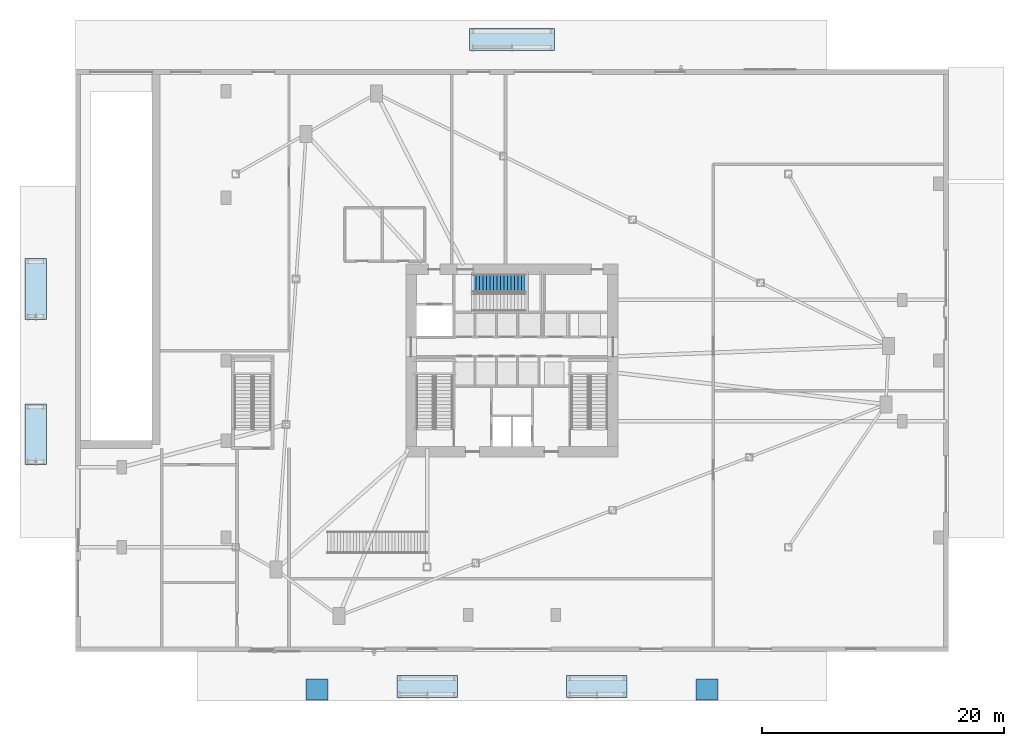
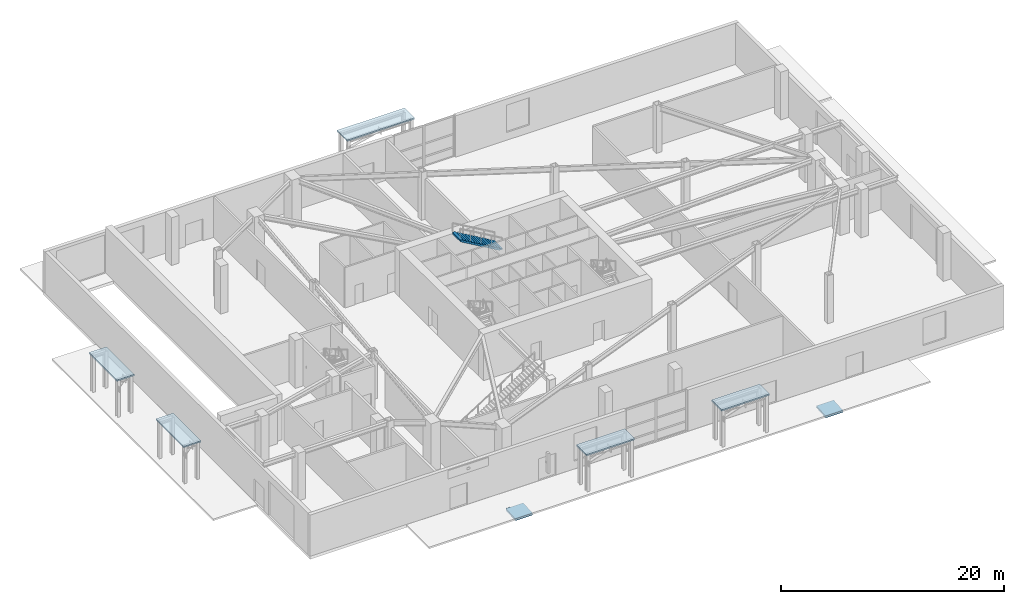
# One storey, part 17 of 22: 5 roofs, 2 ramp flights, 1 stair flight, 3 elements without a shape of their own.
"""IFC4 building model written with IfcOpenShell, lengths in metres."""

import ifcopenshell
import ifcopenshell.guid

model = None  # the IFC model being written
_history = None  # IfcOwnerHistory: only IFC2X3 demands one
_inside = {}  # id of a spatial element -> (the spatial element, [elements in it])
_under = {}  # id of a project, library or spatial element -> (it, [spatial elements below it])
_declared = {}  # id of a project -> (the project, [libraries it declares])
_typed = {}  # id of a type object -> (the type object, [elements of that type])
_made_of = {}  # id of a material, layer set ... -> (it, [elements and type objects made of it])


def new_model(schema):
    """Start an empty IFC model of exactly this schema.

    Asked for "IFC4X3", IfcOpenShell would pick the latest addendum, in which some entities
    have other attributes; the version numbers below select the first issue.
    IFC2X3 requires an IfcOwnerHistory on every rooted entity: one is made here for all.
    """
    global model, _history
    if schema == "IFC4X3":
        model = ifcopenshell.file(schema_version=(4, 3, 0, 0))
    else:
        model = ifcopenshell.file(schema=schema)
    _inside.clear()
    _under.clear()
    _declared.clear()
    _typed.clear()
    _made_of.clear()
    _history = None
    if model.schema == "IFC2X3":
        org = make("IfcOrganization", Name="unknown")
        user = make(
            "IfcPersonAndOrganization",
            ThePerson=make("IfcPerson", FamilyName="unknown"),
            TheOrganization=org,
        )
        app = make(
            "IfcApplication",
            ApplicationDeveloper=org,
            Version="unknown",
            ApplicationFullName="unknown",
            ApplicationIdentifier="unknown",
        )
        _history = make(
            "IfcOwnerHistory",
            OwningUser=user,
            OwningApplication=app,
            ChangeAction="ADDED",
            CreationDate=0,
        )
    return model


def make(cls, **values):
    """One entity of the class cls with the attributes given. An attribute that is None is left unset."""
    return model.create_entity(
        cls, **{name: value for name, value in values.items() if value is not None}
    )


def rooted(cls, **values):
    """An entity with a GlobalId (a new one), such as an element, a storey or a relation."""
    return make(cls, GlobalId=ifcopenshell.guid.new(), OwnerHistory=_history, **values)


def si_unit(unit_type, name, prefix=None):
    """IfcSIUnit, for example si_unit("LENGTHUNIT", "METRE", prefix="MILLI")."""
    return make("IfcSIUnit", UnitType=unit_type, Prefix=prefix, Name=name)


def assignment(units):
    """IfcUnitAssignment: the units of a project."""
    return None if units is None else make("IfcUnitAssignment", Units=units)


def point(xyz):
    """IfcCartesianPoint."""
    return None if xyz is None else make("IfcCartesianPoint", Coordinates=xyz)


def direction(xyz):
    """IfcDirection."""
    return None if xyz is None else make("IfcDirection", DirectionRatios=xyz)


def frame(location, z_axis=None, x_axis=None):
    """IfcAxis2Placement3D, a coordinate frame: its origin and axes. An axis left out is left unset."""
    return make(
        "IfcAxis2Placement3D",
        Location=point(location),
        Axis=direction(z_axis),
        RefDirection=direction(x_axis),
    )


def origin():
    """The frame at (0, 0, 0) with its axes left unset."""
    return frame((0.0, 0.0, 0.0))


def place(relative_to, where):
    """IfcLocalPlacement: puts the frame where relative to a parent placement (None: the world)."""
    return make(
        "IfcLocalPlacement", PlacementRelTo=relative_to, RelativePlacement=where
    )


def context(
    kind, dimensions, precision=None, world=None, true_north=None, identifier=None
):
    """IfcGeometricRepresentationContext, for example the 3D "Model" context."""
    return make(
        "IfcGeometricRepresentationContext",
        ContextIdentifier=identifier,
        ContextType=kind,
        CoordinateSpaceDimension=dimensions,
        Precision=precision,
        WorldCoordinateSystem=world,
        TrueNorth=true_north,
    )


def subcontext(parent, identifier, kind, view, scale=None):
    """IfcGeometricRepresentationSubContext, for example "Body" below "Model"."""
    return make(
        "IfcGeometricRepresentationSubContext",
        ContextIdentifier=identifier,
        ContextType=kind,
        ParentContext=parent,
        TargetScale=scale,
        TargetView=view,
    )


def project(units=None, contexts=None):
    """IfcProject with its units and contexts."""
    return rooted(
        "IfcProject",
        Name="project",
        RepresentationContexts=contexts,
        UnitsInContext=assignment(units),
    )


def spatial(cls, under=None, at=None, **own):
    """A site, building, storey or space (cls), placed at a placement, below another one or the project."""
    s = rooted(cls, ObjectPlacement=at, **own)
    if under is not None:
        _under.setdefault(under.id(), (under, []))[1].append(s)
    return s


def polyline(points):
    """IfcPolyline through the points."""
    return make("IfcPolyline", Points=[point(p) for p in points])


def outline(outer, holes=None, kind="AREA"):
    """IfcArbitraryClosedProfileDef: a profile drawn as a closed curve; with holes, ...WithVoids."""
    if holes is None:
        return make("IfcArbitraryClosedProfileDef", ProfileType=kind, OuterCurve=outer)
    return make(
        "IfcArbitraryProfileDefWithVoids",
        ProfileType=kind,
        OuterCurve=outer,
        InnerCurves=holes,
    )


def extrude(swept, where, along, depth):
    """IfcExtrudedAreaSolid: the profile swept, set in the frame where, extruded along a direction by depth."""
    return make(
        "IfcExtrudedAreaSolid",
        SweptArea=swept,
        Position=where,
        ExtrudedDirection=direction(along),
        Depth=depth,
    )


def shape(context_of_items, identifier, shape_type, items):
    """IfcShapeRepresentation: the items that make up one representation, for example the "Body"."""
    return make(
        "IfcShapeRepresentation",
        ContextOfItems=context_of_items,
        RepresentationIdentifier=identifier,
        RepresentationType=shape_type,
        Items=items,
    )


def material(Name=None, Category=None):
    """IfcMaterial."""
    return make("IfcMaterial", Name=Name, Category=Category)


def layer(
    of_material, thickness, ventilated=None, Name=None, Category=None, Priority=None
):
    """IfcMaterialLayer: one layer of a wall or slab, of a material (None: an air gap)."""
    return make(
        "IfcMaterialLayer",
        Material=of_material,
        LayerThickness=thickness,
        IsVentilated=ventilated,
        Name=Name,
        Category=Category,
        Priority=Priority,
    )


def layer_set(layers, Name=None):
    """IfcMaterialLayerSet."""
    return make("IfcMaterialLayerSet", MaterialLayers=layers, LayerSetName=Name)


def made_of(thing, what):
    """Note that an element or type object is made of a material, layer set ...; save() writes the relation."""
    if what is not None:
        _made_of.setdefault(what.id(), (what, []))[1].append(thing)
    return thing


def type_object(cls, material=None, **own):
    """A type object (cls), such as IfcWallType, which elements share."""
    return made_of(rooted(cls, **own), material)


def element(
    cls,
    number,
    at=None,
    inside=None,
    cuts=None,
    type_object=None,
    material=None,
    context=None,
    identifier="Body",
    shape_type=None,
    held_by="IfcProductDefinitionShape",
    body=None,
    shapes=None,
    **own,
):
    """One element of the class cls, such as IfcWall. Its Tag is "e" and its number.

    at: its placement. inside: the storey or other place that contains it. cuts: it is an
    opening in that element (IfcRelVoidsElement). A single representation is given by context,
    identifier, shape_type and body (its items); several are given by shapes. held_by: the class
    of the entity that holds the representations. save() writes the other relations.
    """
    e = rooted(cls, Tag="e%d" % number, ObjectPlacement=at, **own)
    if body is not None:
        shapes = [shape(context, identifier, shape_type, body)]
    if shapes is not None:
        e.Representation = make(held_by, Representations=shapes)
    if inside is not None:
        _inside.setdefault(inside.id(), (inside, []))[1].append(e)
    if cuts is not None:
        rooted(
            "IfcRelVoidsElement", RelatingBuildingElement=cuts, RelatedOpeningElement=e
        )
    if type_object is not None:
        _typed.setdefault(type_object.id(), (type_object, []))[1].append(e)
    return made_of(e, material)


def aggregate(whole, parts):
    """IfcRelAggregates: a whole, such as a stair, and the parts it consists of."""
    return rooted("IfcRelAggregates", RelatingObject=whole, RelatedObjects=parts)


def save(model, path):
    """Write the relations noted so far, then the file.

    IfcRelAggregates (storeys below a building ...), IfcRelContainedInSpatialStructure (elements
    in a storey), IfcRelDefinesByType, IfcRelAssociatesMaterial and IfcRelDeclares: one each for
    every whole, place, type object, material and project.
    """
    for whole, parts in _under.values():
        aggregate(whole, parts)
    for where, things in _inside.values():
        rooted(
            "IfcRelContainedInSpatialStructure",
            RelatedElements=things,
            RelatingStructure=where,
        )
    for kind, things in _typed.values():
        rooted("IfcRelDefinesByType", RelatedObjects=things, RelatingType=kind)
    for what, things in _made_of.values():
        rooted("IfcRelAssociatesMaterial", RelatedObjects=things, RelatingMaterial=what)
    for by, libraries in _declared.values():
        rooted("IfcRelDeclares", RelatingContext=by, RelatedDefinitions=libraries)
    model.write(path)


model = new_model("IFC4")

# Units and contexts
model_context = context("Model", 3, precision=1e-05, world=origin(), true_north=direction((0.0, 1.0)))
body_context = subcontext(model_context, "Body", "Model", "MODEL_VIEW")
ifc_project = project(units=[si_unit("LENGTHUNIT", "METRE"), si_unit("AREAUNIT", "SQUARE_METRE"), si_unit("VOLUMEUNIT", "CUBIC_METRE"), si_unit("PLANEANGLEUNIT", "RADIAN"), si_unit("MASSUNIT", "GRAM", prefix="KILO")], contexts=[model_context])

# Site, building, storey
site_placement = place(None, origin())
site = spatial("IfcSite", under=ifc_project, at=site_placement, CompositionType="ELEMENT")
building_placement = place(site_placement, origin())
building = spatial("IfcBuilding", under=site, at=building_placement, Name="Olszyna Solenne Hotel", CompositionType="ELEMENT")
storey_placement = place(building_placement, origin())
storey = spatial("IfcBuildingStorey", under=building, at=storey_placement, Name="L00", CompositionType="ELEMENT", Elevation=0.0)

# Stair, stair flight
ifc_material_1 = material(Name="Concrete C40/50", Category="concrete")
stair_type = type_object("IfcStairType", Name="STR-C1", PredefinedType="TWO_QUARTER_WINDING_STAIR", material=ifc_material_1)
stair_placement = place(storey_placement, origin())
stair = element("IfcStair", 1, at=stair_placement, inside=storey, type_object=stair_type, Name="L00 ST3", PredefinedType="TWO_QUARTER_WINDING_STAIR")
stair_flight_type = type_object("IfcStairFlightType", Name="FLT-C1", PredefinedType="STRAIGHT", material=ifc_material_1)
stair_flight_placement = place(storey_placement, frame((39.080078125, 32.97509765625, 2.699951171875), z_axis=(0.0, 0.0, 1.0), x_axis=(-1.0, 0.0, 0.0)))
stair_flight = element("IfcStairFlight", 2, at=stair_flight_placement, type_object=stair_flight_type, Name="ST3 flight 2", NumberOfRisers=16, NumberOfTreads=15, PredefinedType="STRAIGHT", RiserHeight=0.16875, TreadLength=0.29, context=body_context, shape_type="SweptSolid", body=[
    extrude(outline(polyline([(0.0, 0.0), (0.0, 0.168701171875), (0.2900390625, 0.168701171875), (0.2900390625, 0.33740234375), (0.580078125, 0.33740234375), (0.580078125, 0.50634765625), (0.8701171875, 0.50634765625), (0.8701171875, 0.675048828125), (1.159912109375, 0.675048828125), (1.159912109375, 0.84375), (1.449951171875, 0.84375), (1.449951171875, 1.012451171875), (1.739990234375, 1.012451171875), (1.739990234375, 1.18115234375), (2.030029296875, 1.18115234375), (2.030029296875, 1.35009765625), (2.320068359375, 1.35009765625), (2.320068359375, 1.518798828125), (2.610107421875, 1.518798828125), (2.610107421875, 1.6875), (2.89990234375, 1.6875), (2.89990234375, 1.856201171875), (3.18994140625, 1.856201171875), (3.18994140625, 2.02490234375), (3.47998046875, 2.02490234375), (3.47998046875, 2.19384765625), (3.77001953125, 2.19384765625), (3.77001953125, 2.362548828125), (4.06005859375, 2.362548828125), (4.06005859375, 2.53125), (4.35009765625, 2.53125), (4.35009765625, 2.699951171875), (4.35009765625, 2.35791015625), (0.298095703125, 0.0), (0.0, 0.0)])), frame((0.0, 0.72509765625, 0.0), z_axis=(0.0, -1.0, 0.0), x_axis=(1.0, 0.0, 0.0)), (0.0, 0.0, 1.0), 1.449951171875),
])
aggregate(stair, [stair_flight])

# Ramp, ramp flight
ramp_type = type_object("IfcRampType", Name="RMP-PED", PredefinedType="STRAIGHT_RUN_RAMP", material=ifc_material_1)
ramp_1_placement = place(storey_placement, origin())
ramp_1 = element("IfcRamp", 3, at=ramp_1_placement, inside=storey, type_object=ramp_type, Name="South-West forecourt accessible ramp RMP-P01", PredefinedType="STRAIGHT_RUN_RAMP")
ifc_layer_1 = layer(ifc_material_1, 0.199951171875, Name="Concrete C40/50")
ifc_layer_set_1 = layer_set([ifc_layer_1], Name="Concrete C40/50")
ramp_flight_type = type_object("IfcRampFlightType", Name="RFL-PED", PredefinedType="STRAIGHT", material=ifc_layer_set_1)
ramp_flight_1_placement = place(storey_placement, frame((21.0, -1.39990234375, -0.1201171875), z_axis=(0.0, -0.070483465508, 0.997512947831), x_axis=(1.0, 0.0, 0.0)))
ramp_flight_1 = element("IfcRampFlight", 4, at=ramp_flight_1_placement, type_object=ramp_flight_type, Name="Accessible ramp flight RFL-P01", PredefinedType="STRAIGHT", context=body_context, shape_type="SweptSolid", body=[
    extrude(outline(polyline([(0.0, 0.0), (1.800048828125, 0.0), (1.800048828125, 1.7041895802674347), (0.0, 1.7041895802674347), (0.0, 0.0)])), origin(), (0.0, 0.0, -1.0), 0.199951171875),
])
aggregate(ramp_1, [ramp_flight_1])

ramp_2_placement = place(storey_placement, origin())
ramp_2 = element("IfcRamp", 5, at=ramp_2_placement, inside=storey, type_object=ramp_type, Name="South-East forecourt accessible ramp RMP-P02", PredefinedType="STRAIGHT_RUN_RAMP")
ramp_flight_2_placement = place(storey_placement, frame((53.199951171875, -1.39990234375, -0.1201171875), z_axis=(0.0, -0.070483465508, 0.997512947831), x_axis=(1.0, 0.0, 0.0)))
ramp_flight_2 = element("IfcRampFlight", 6, at=ramp_flight_2_placement, type_object=ramp_flight_type, Name="Accessible ramp flight RFL-P02", PredefinedType="STRAIGHT", context=body_context, shape_type="SweptSolid", body=[
    extrude(outline(polyline([(0.0, 0.0), (1.800048828125, 0.0), (1.800048828125, 1.7041895802674347), (0.0, 1.7041895802674347), (0.0, 0.0)])), origin(), (0.0, 0.0, -1.0), 0.199951171875),
])
aggregate(ramp_2, [ramp_flight_2])

# Roofs
ifc_material_2 = material(Name="Precast concrete C45/55", Category="concrete")
ifc_layer_2 = layer(ifc_material_2, 0.159912109375, Name="Precast concrete C45/55")
ifc_layer_set_2 = layer_set([ifc_layer_2], Name="Precast concrete C45/55")
roof_type = type_object("IfcRoofType", Name="RF-CN1", PredefinedType="FLAT_ROOF", material=ifc_layer_set_2)
roof_1_placement = place(storey_placement, frame((0.0, 0.0, 4.0400390625)))
element("IfcRoof", 7, at=roof_1_placement, inside=storey, type_object=roof_type, Name="South-West forecourt arrival canopy CN-S1", PredefinedType="FLAT_ROOF", context=body_context, shape_type="SweptSolid", body=[
    extrude(outline(polyline([(28.5, -1.199951171875), (33.5, -1.199951171875), (33.5, 0.60009765625), (28.5, 0.60009765625), (28.5, -1.199951171875)])), origin(), (0.0, 0.0, 1.0), 0.159912109375),
])
roof_2_placement = place(storey_placement, frame((0.0, 0.0, 4.0400390625)))
element("IfcRoof", 8, at=roof_2_placement, inside=storey, type_object=roof_type, Name="South-East forecourt express canopy CN-S2", PredefinedType="FLAT_ROOF", context=body_context, shape_type="SweptSolid", body=[
    extrude(outline(polyline([(42.5, -1.199951171875), (47.5, -1.199951171875), (47.5, 0.60009765625), (42.5, 0.60009765625), (42.5, -1.199951171875)])), origin(), (0.0, 0.0, 1.0), 0.159912109375),
])
roof_3_placement = place(storey_placement, frame((0.0, 0.0, 4.0400390625)))
element("IfcRoof", 9, at=roof_3_placement, inside=storey, type_object=roof_type, Name="North plaza pedestrian pavilion canopy CN-N1", PredefinedType="FLAT_ROOF", context=body_context, shape_type="SweptSolid", body=[
    extrude(outline(polyline([(34.5, 52.199951171875), (41.5, 52.199951171875), (41.5, 54.0), (34.5, 54.0), (34.5, 52.199951171875)])), origin(), (0.0, 0.0, 1.0), 0.159912109375),
])
roof_4_placement = place(storey_placement, frame((0.0, 0.0, 4.0400390625)))
element("IfcRoof", 10, at=roof_4_placement, inside=storey, type_object=roof_type, Name="West drop-off canopy South CN-W1", PredefinedType="FLAT_ROOF", context=body_context, shape_type="SweptSolid", body=[
    extrude(outline(polyline([(-2.199951171875, 18.0), (-0.39990234375, 18.0), (-0.39990234375, 23.0), (-2.199951171875, 23.0), (-2.199951171875, 18.0)])), origin(), (0.0, 0.0, 1.0), 0.159912109375),
])
roof_5_placement = place(storey_placement, frame((0.0, 0.0, 4.0400390625)))
element("IfcRoof", 11, at=roof_5_placement, inside=storey, type_object=roof_type, Name="West drop-off canopy North CN-W2", PredefinedType="FLAT_ROOF", context=body_context, shape_type="SweptSolid", body=[
    extrude(outline(polyline([(-2.199951171875, 30.0), (-0.39990234375, 30.0), (-0.39990234375, 35.0), (-2.199951171875, 35.0), (-2.199951171875, 30.0)])), origin(), (0.0, 0.0, 1.0), 0.159912109375),
])

save(model, "model.ifc")
